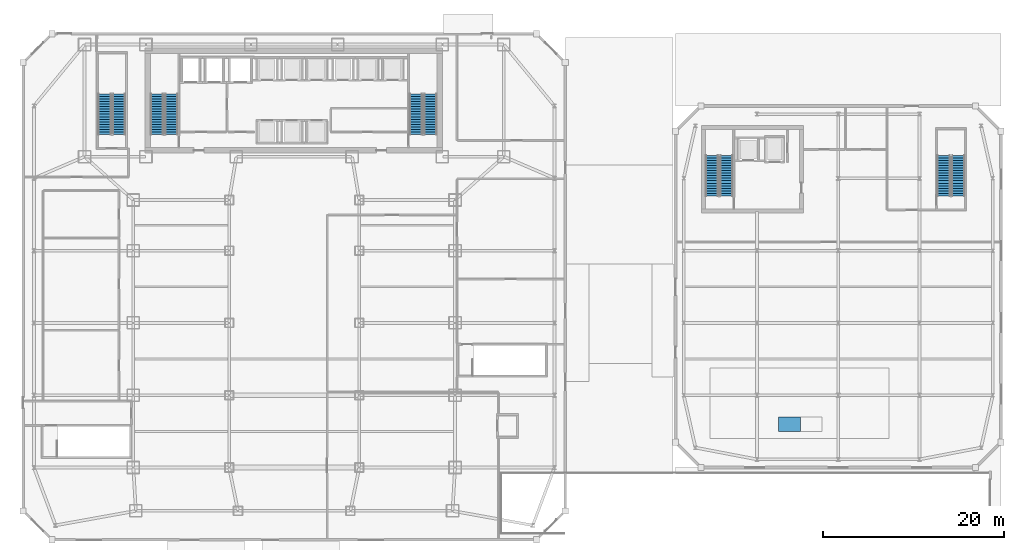
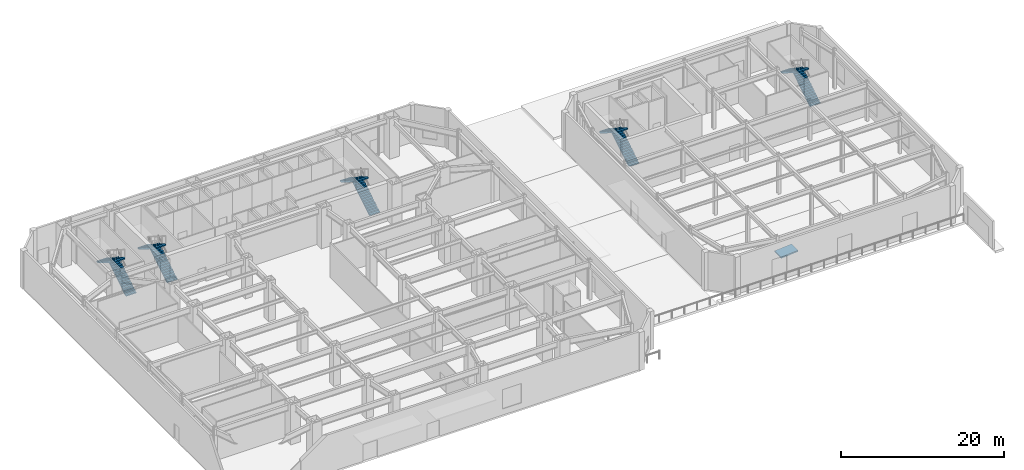
# One storey, part 16 of 23: 10 stair flights, 1 ramp flight, 6 elements without a shape of their own.
"""IFC4 building model written with IfcOpenShell, lengths in metres."""

import ifcopenshell
import ifcopenshell.guid

model = None  # the IFC model being written
_history = None  # IfcOwnerHistory: only IFC2X3 demands one
_inside = {}  # id of a spatial element -> (the spatial element, [elements in it])
_under = {}  # id of a project, library or spatial element -> (it, [spatial elements below it])
_declared = {}  # id of a project -> (the project, [libraries it declares])
_typed = {}  # id of a type object -> (the type object, [elements of that type])
_made_of = {}  # id of a material, layer set ... -> (it, [elements and type objects made of it])


def new_model(schema):
    """Start an empty IFC model of exactly this schema.

    Asked for "IFC4X3", IfcOpenShell would pick the latest addendum, in which some entities
    have other attributes; the version numbers below select the first issue.
    IFC2X3 requires an IfcOwnerHistory on every rooted entity: one is made here for all.
    """
    global model, _history
    if schema == "IFC4X3":
        model = ifcopenshell.file(schema_version=(4, 3, 0, 0))
    else:
        model = ifcopenshell.file(schema=schema)
    _inside.clear()
    _under.clear()
    _declared.clear()
    _typed.clear()
    _made_of.clear()
    _history = None
    if model.schema == "IFC2X3":
        org = make("IfcOrganization", Name="unknown")
        user = make(
            "IfcPersonAndOrganization",
            ThePerson=make("IfcPerson", FamilyName="unknown"),
            TheOrganization=org,
        )
        app = make(
            "IfcApplication",
            ApplicationDeveloper=org,
            Version="unknown",
            ApplicationFullName="unknown",
            ApplicationIdentifier="unknown",
        )
        _history = make(
            "IfcOwnerHistory",
            OwningUser=user,
            OwningApplication=app,
            ChangeAction="ADDED",
            CreationDate=0,
        )
    return model


def make(cls, **values):
    """One entity of the class cls with the attributes given. An attribute that is None is left unset."""
    return model.create_entity(
        cls, **{name: value for name, value in values.items() if value is not None}
    )


def rooted(cls, **values):
    """An entity with a GlobalId (a new one), such as an element, a storey or a relation."""
    return make(cls, GlobalId=ifcopenshell.guid.new(), OwnerHistory=_history, **values)


def si_unit(unit_type, name, prefix=None):
    """IfcSIUnit, for example si_unit("LENGTHUNIT", "METRE", prefix="MILLI")."""
    return make("IfcSIUnit", UnitType=unit_type, Prefix=prefix, Name=name)


def assignment(units):
    """IfcUnitAssignment: the units of a project."""
    return None if units is None else make("IfcUnitAssignment", Units=units)


def point(xyz):
    """IfcCartesianPoint."""
    return None if xyz is None else make("IfcCartesianPoint", Coordinates=xyz)


def direction(xyz):
    """IfcDirection."""
    return None if xyz is None else make("IfcDirection", DirectionRatios=xyz)


def frame(location, z_axis=None, x_axis=None):
    """IfcAxis2Placement3D, a coordinate frame: its origin and axes. An axis left out is left unset."""
    return make(
        "IfcAxis2Placement3D",
        Location=point(location),
        Axis=direction(z_axis),
        RefDirection=direction(x_axis),
    )


def origin():
    """The frame at (0, 0, 0) with its axes left unset."""
    return frame((0.0, 0.0, 0.0))


def place(relative_to, where):
    """IfcLocalPlacement: puts the frame where relative to a parent placement (None: the world)."""
    return make(
        "IfcLocalPlacement", PlacementRelTo=relative_to, RelativePlacement=where
    )


def context(
    kind, dimensions, precision=None, world=None, true_north=None, identifier=None
):
    """IfcGeometricRepresentationContext, for example the 3D "Model" context."""
    return make(
        "IfcGeometricRepresentationContext",
        ContextIdentifier=identifier,
        ContextType=kind,
        CoordinateSpaceDimension=dimensions,
        Precision=precision,
        WorldCoordinateSystem=world,
        TrueNorth=true_north,
    )


def subcontext(parent, identifier, kind, view, scale=None):
    """IfcGeometricRepresentationSubContext, for example "Body" below "Model"."""
    return make(
        "IfcGeometricRepresentationSubContext",
        ContextIdentifier=identifier,
        ContextType=kind,
        ParentContext=parent,
        TargetScale=scale,
        TargetView=view,
    )


def project(units=None, contexts=None):
    """IfcProject with its units and contexts."""
    return rooted(
        "IfcProject",
        Name="project",
        RepresentationContexts=contexts,
        UnitsInContext=assignment(units),
    )


def spatial(cls, under=None, at=None, **own):
    """A site, building, storey or space (cls), placed at a placement, below another one or the project."""
    s = rooted(cls, ObjectPlacement=at, **own)
    if under is not None:
        _under.setdefault(under.id(), (under, []))[1].append(s)
    return s


def polyline(points):
    """IfcPolyline through the points."""
    return make("IfcPolyline", Points=[point(p) for p in points])


def outline(outer, holes=None, kind="AREA"):
    """IfcArbitraryClosedProfileDef: a profile drawn as a closed curve; with holes, ...WithVoids."""
    if holes is None:
        return make("IfcArbitraryClosedProfileDef", ProfileType=kind, OuterCurve=outer)
    return make(
        "IfcArbitraryProfileDefWithVoids",
        ProfileType=kind,
        OuterCurve=outer,
        InnerCurves=holes,
    )


def extrude(swept, where, along, depth):
    """IfcExtrudedAreaSolid: the profile swept, set in the frame where, extruded along a direction by depth."""
    return make(
        "IfcExtrudedAreaSolid",
        SweptArea=swept,
        Position=where,
        ExtrudedDirection=direction(along),
        Depth=depth,
    )


def shape(context_of_items, identifier, shape_type, items):
    """IfcShapeRepresentation: the items that make up one representation, for example the "Body"."""
    return make(
        "IfcShapeRepresentation",
        ContextOfItems=context_of_items,
        RepresentationIdentifier=identifier,
        RepresentationType=shape_type,
        Items=items,
    )


def material(Name=None, Category=None):
    """IfcMaterial."""
    return make("IfcMaterial", Name=Name, Category=Category)


def layer(
    of_material, thickness, ventilated=None, Name=None, Category=None, Priority=None
):
    """IfcMaterialLayer: one layer of a wall or slab, of a material (None: an air gap)."""
    return make(
        "IfcMaterialLayer",
        Material=of_material,
        LayerThickness=thickness,
        IsVentilated=ventilated,
        Name=Name,
        Category=Category,
        Priority=Priority,
    )


def layer_set(layers, Name=None):
    """IfcMaterialLayerSet."""
    return make("IfcMaterialLayerSet", MaterialLayers=layers, LayerSetName=Name)


def made_of(thing, what):
    """Note that an element or type object is made of a material, layer set ...; save() writes the relation."""
    if what is not None:
        _made_of.setdefault(what.id(), (what, []))[1].append(thing)
    return thing


def type_object(cls, material=None, **own):
    """A type object (cls), such as IfcWallType, which elements share."""
    return made_of(rooted(cls, **own), material)


def element(
    cls,
    number,
    at=None,
    inside=None,
    cuts=None,
    type_object=None,
    material=None,
    context=None,
    identifier="Body",
    shape_type=None,
    held_by="IfcProductDefinitionShape",
    body=None,
    shapes=None,
    **own,
):
    """One element of the class cls, such as IfcWall. Its Tag is "e" and its number.

    at: its placement. inside: the storey or other place that contains it. cuts: it is an
    opening in that element (IfcRelVoidsElement). A single representation is given by context,
    identifier, shape_type and body (its items); several are given by shapes. held_by: the class
    of the entity that holds the representations. save() writes the other relations.
    """
    e = rooted(cls, Tag="e%d" % number, ObjectPlacement=at, **own)
    if body is not None:
        shapes = [shape(context, identifier, shape_type, body)]
    if shapes is not None:
        e.Representation = make(held_by, Representations=shapes)
    if inside is not None:
        _inside.setdefault(inside.id(), (inside, []))[1].append(e)
    if cuts is not None:
        rooted(
            "IfcRelVoidsElement", RelatingBuildingElement=cuts, RelatedOpeningElement=e
        )
    if type_object is not None:
        _typed.setdefault(type_object.id(), (type_object, []))[1].append(e)
    return made_of(e, material)


def aggregate(whole, parts):
    """IfcRelAggregates: a whole, such as a stair, and the parts it consists of."""
    return rooted("IfcRelAggregates", RelatingObject=whole, RelatedObjects=parts)


def save(model, path):
    """Write the relations noted so far, then the file.

    IfcRelAggregates (storeys below a building ...), IfcRelContainedInSpatialStructure (elements
    in a storey), IfcRelDefinesByType, IfcRelAssociatesMaterial and IfcRelDeclares: one each for
    every whole, place, type object, material and project.
    """
    for whole, parts in _under.values():
        aggregate(whole, parts)
    for where, things in _inside.values():
        rooted(
            "IfcRelContainedInSpatialStructure",
            RelatedElements=things,
            RelatingStructure=where,
        )
    for kind, things in _typed.values():
        rooted("IfcRelDefinesByType", RelatedObjects=things, RelatingType=kind)
    for what, things in _made_of.values():
        rooted("IfcRelAssociatesMaterial", RelatedObjects=things, RelatingMaterial=what)
    for by, libraries in _declared.values():
        rooted("IfcRelDeclares", RelatingContext=by, RelatedDefinitions=libraries)
    model.write(path)


model = new_model("IFC4")

# Units and contexts
model_context = context("Model", 3, precision=1e-05, world=origin(), true_north=direction((0.0, 1.0)))
body_context = subcontext(model_context, "Body", "Model", "MODEL_VIEW")
ifc_project = project(units=[si_unit("LENGTHUNIT", "METRE"), si_unit("AREAUNIT", "SQUARE_METRE"), si_unit("VOLUMEUNIT", "CUBIC_METRE"), si_unit("PLANEANGLEUNIT", "RADIAN"), si_unit("MASSUNIT", "GRAM", prefix="KILO")], contexts=[model_context])

# Site, building, storey
site_placement = place(None, origin())
site = spatial("IfcSite", under=ifc_project, at=site_placement, CompositionType="ELEMENT")
building_placement = place(site_placement, origin())
building = spatial("IfcBuilding", under=site, at=building_placement, Name="Saevonmaru Cultural Tower", CompositionType="ELEMENT")
storey_placement = place(building_placement, origin())
storey = spatial("IfcBuildingStorey", under=building, at=storey_placement, Name="L00", CompositionType="ELEMENT", Elevation=0.0)

# Stair, stair flights
ifc_material_1 = material(Name="Concrete C40/50", Category="concrete")
stair_type = type_object("IfcStairType", Name="STR-DOGLEG-RC", PredefinedType="HALF_TURN_STAIR", material=ifc_material_1)
stair_1_placement = place(storey_placement, origin())
stair_1 = element("IfcStair", 1, at=stair_1_placement, inside=storey, type_object=stair_type, Name="L00 Protected exit stair LST-1", PredefinedType="HALF_TURN_STAIR")
ifc_material_2 = material(Name="Precast concrete C40/50", Category="concrete")
stair_flight_type = type_object("IfcStairFlightType", Name="STF-PRECAST-180", PredefinedType="STRAIGHT", material=ifc_material_2)
stair_flight_1_placement = place(storey_placement, frame((77.824951171875, 38.050048828125, 0.0), z_axis=(0.0, 0.0, 1.0), x_axis=(0.0, 1.0, 0.0)))
stair_flight_1 = element("IfcStairFlight", 2, at=stair_flight_1_placement, type_object=stair_flight_type, Name="LST-1-L00 flight 1", NumberOfRisers=17, NumberOfTreads=16, PredefinedType="STRAIGHT", RiserHeight=0.176470588, TreadLength=0.28, context=body_context, shape_type="SweptSolid", body=[
    extrude(outline(polyline([(0.0, 0.0), (0.0, 0.176513671875), (0.280029296875, 0.176513671875), (0.280029296875, 0.35302734375), (0.56005859375, 0.35302734375), (0.56005859375, 0.529296875), (0.840087890625, 0.529296875), (0.840087890625, 0.705810546875), (1.1201171875, 0.705810546875), (1.1201171875, 0.88232421875), (1.39990234375, 0.88232421875), (1.39990234375, 1.058837890625), (1.679931640625, 1.058837890625), (1.679931640625, 1.2353515625), (1.9599609375, 1.2353515625), (1.9599609375, 1.411865234375), (2.239990234375, 1.411865234375), (2.239990234375, 1.588134765625), (2.52001953125, 1.588134765625), (2.52001953125, 1.7646484375), (2.800048828125, 1.7646484375), (2.800048828125, 1.941162109375), (3.080078125, 1.941162109375), (3.080078125, 2.11767578125), (3.360107421875, 2.11767578125), (3.360107421875, 2.294189453125), (3.639892578125, 2.294189453125), (3.639892578125, 2.470703125), (3.919921875, 2.470703125), (3.919921875, 2.64697265625), (4.199951171875, 2.64697265625), (4.199951171875, 2.823486328125), (4.47998046875, 2.823486328125), (4.47998046875, 3.0), (4.47998046875, 2.646240234375), (0.28125, 0.0), (0.0, 0.0)])), frame((0.0, 0.72509765625, 0.0), z_axis=(0.0, -1.0, 0.0), x_axis=(1.0, 0.0, 0.0)), (0.0, 0.0, 1.0), 1.449951171875),
])
stair_flight_2_placement = place(storey_placement, frame((76.22509765625, 42.530029296875, 3.0), z_axis=(0.0, 0.0, 1.0), x_axis=(0.0, -1.0, 0.0)))
stair_flight_2 = element("IfcStairFlight", 3, at=stair_flight_2_placement, type_object=stair_flight_type, Name="LST-1-L00 flight 2", NumberOfRisers=17, NumberOfTreads=16, PredefinedType="STRAIGHT", RiserHeight=0.176470588, TreadLength=0.28, context=body_context, shape_type="SweptSolid", body=[
    extrude(outline(polyline([(0.0, 0.0), (0.0, 0.176513671875), (0.280029296875, 0.176513671875), (0.280029296875, 0.35302734375), (0.56005859375, 0.35302734375), (0.56005859375, 0.529296875), (0.840087890625, 0.529296875), (0.840087890625, 0.705810546875), (1.1201171875, 0.705810546875), (1.1201171875, 0.88232421875), (1.39990234375, 0.88232421875), (1.39990234375, 1.058837890625), (1.679931640625, 1.058837890625), (1.679931640625, 1.2353515625), (1.9599609375, 1.2353515625), (1.9599609375, 1.411865234375), (2.239990234375, 1.411865234375), (2.239990234375, 1.588134765625), (2.52001953125, 1.588134765625), (2.52001953125, 1.7646484375), (2.800048828125, 1.7646484375), (2.800048828125, 1.941162109375), (3.080078125, 1.941162109375), (3.080078125, 2.11767578125), (3.360107421875, 2.11767578125), (3.360107421875, 2.294189453125), (3.639892578125, 2.294189453125), (3.639892578125, 2.470703125), (3.919921875, 2.470703125), (3.919921875, 2.64697265625), (4.199951171875, 2.64697265625), (4.199951171875, 2.823486328125), (4.47998046875, 2.823486328125), (4.47998046875, 3.0), (4.47998046875, 2.646240234375), (0.28125, 0.0), (0.0, 0.0)])), frame((0.0, 0.72509765625, 0.0), z_axis=(0.0, -1.0, 0.0), x_axis=(1.0, 0.0, 0.0)), (0.0, 0.0, 1.0), 1.449951171875),
])
aggregate(stair_1, [stair_flight_1, stair_flight_2])

stair_2_placement = place(storey_placement, origin())
stair_2 = element("IfcStair", 4, at=stair_2_placement, inside=storey, type_object=stair_type, Name="L00 Protected exit stair LST-2", PredefinedType="HALF_TURN_STAIR")
stair_flight_3_placement = place(storey_placement, frame((103.47509765625, 38.050048828125, 0.0), z_axis=(0.0, 0.0, 1.0), x_axis=(0.0, 1.0, 0.0)))
stair_flight_3 = element("IfcStairFlight", 5, at=stair_flight_3_placement, type_object=stair_flight_type, Name="LST-2-L00 flight 1", NumberOfRisers=17, NumberOfTreads=16, PredefinedType="STRAIGHT", RiserHeight=0.176470588, TreadLength=0.28, context=body_context, shape_type="SweptSolid", body=[
    extrude(outline(polyline([(0.0, 0.0), (0.0, 0.176513671875), (0.280029296875, 0.176513671875), (0.280029296875, 0.35302734375), (0.56005859375, 0.35302734375), (0.56005859375, 0.529296875), (0.840087890625, 0.529296875), (0.840087890625, 0.705810546875), (1.1201171875, 0.705810546875), (1.1201171875, 0.88232421875), (1.39990234375, 0.88232421875), (1.39990234375, 1.058837890625), (1.679931640625, 1.058837890625), (1.679931640625, 1.2353515625), (1.9599609375, 1.2353515625), (1.9599609375, 1.411865234375), (2.239990234375, 1.411865234375), (2.239990234375, 1.588134765625), (2.52001953125, 1.588134765625), (2.52001953125, 1.7646484375), (2.800048828125, 1.7646484375), (2.800048828125, 1.941162109375), (3.080078125, 1.941162109375), (3.080078125, 2.11767578125), (3.360107421875, 2.11767578125), (3.360107421875, 2.294189453125), (3.639892578125, 2.294189453125), (3.639892578125, 2.470703125), (3.919921875, 2.470703125), (3.919921875, 2.64697265625), (4.199951171875, 2.64697265625), (4.199951171875, 2.823486328125), (4.47998046875, 2.823486328125), (4.47998046875, 3.0), (4.47998046875, 2.646240234375), (0.28125, 0.0), (0.0, 0.0)])), frame((0.0, 0.72509765625, 0.0), z_axis=(0.0, -1.0, 0.0), x_axis=(1.0, 0.0, 0.0)), (0.0, 0.0, 1.0), 1.449951171875),
])
stair_flight_4_placement = place(storey_placement, frame((101.875, 42.530029296875, 3.0), z_axis=(0.0, 0.0, 1.0), x_axis=(0.0, -1.0, 0.0)))
stair_flight_4 = element("IfcStairFlight", 6, at=stair_flight_4_placement, type_object=stair_flight_type, Name="LST-2-L00 flight 2", NumberOfRisers=17, NumberOfTreads=16, PredefinedType="STRAIGHT", RiserHeight=0.176470588, TreadLength=0.28, context=body_context, shape_type="SweptSolid", body=[
    extrude(outline(polyline([(0.0, 0.0), (0.0, 0.176513671875), (0.280029296875, 0.176513671875), (0.280029296875, 0.35302734375), (0.56005859375, 0.35302734375), (0.56005859375, 0.529296875), (0.840087890625, 0.529296875), (0.840087890625, 0.705810546875), (1.1201171875, 0.705810546875), (1.1201171875, 0.88232421875), (1.39990234375, 0.88232421875), (1.39990234375, 1.058837890625), (1.679931640625, 1.058837890625), (1.679931640625, 1.2353515625), (1.9599609375, 1.2353515625), (1.9599609375, 1.411865234375), (2.239990234375, 1.411865234375), (2.239990234375, 1.588134765625), (2.52001953125, 1.588134765625), (2.52001953125, 1.7646484375), (2.800048828125, 1.7646484375), (2.800048828125, 1.941162109375), (3.080078125, 1.941162109375), (3.080078125, 2.11767578125), (3.360107421875, 2.11767578125), (3.360107421875, 2.294189453125), (3.639892578125, 2.294189453125), (3.639892578125, 2.470703125), (3.919921875, 2.470703125), (3.919921875, 2.64697265625), (4.199951171875, 2.64697265625), (4.199951171875, 2.823486328125), (4.47998046875, 2.823486328125), (4.47998046875, 3.0), (4.47998046875, 2.646240234375), (0.28125, 0.0), (0.0, 0.0)])), frame((0.0, 0.72509765625, 0.0), z_axis=(0.0, -1.0, 0.0), x_axis=(1.0, 0.0, 0.0)), (0.0, 0.0, 1.0), 1.449951171875),
])
aggregate(stair_2, [stair_flight_3, stair_flight_4])

stair_3_placement = place(storey_placement, origin())
stair_3 = element("IfcStair", 7, at=stair_3_placement, inside=storey, type_object=stair_type, Name="L00 Protected exit stair ST-1", PredefinedType="HALF_TURN_STAIR")
stair_flight_5_placement = place(storey_placement, frame((16.425048828125, 44.85009765625, 0.0), z_axis=(0.0, 0.0, 1.0), x_axis=(0.0, 1.0, 0.0)))
stair_flight_5 = element("IfcStairFlight", 8, at=stair_flight_5_placement, type_object=stair_flight_type, Name="ST-1-L00 flight 1", NumberOfRisers=17, NumberOfTreads=16, PredefinedType="STRAIGHT", RiserHeight=0.176470588, TreadLength=0.28, context=body_context, shape_type="SweptSolid", body=[
    extrude(outline(polyline([(0.0, 0.0), (0.0, 0.176513671875), (0.280029296875, 0.176513671875), (0.280029296875, 0.35302734375), (0.56005859375, 0.35302734375), (0.56005859375, 0.529296875), (0.840087890625, 0.529296875), (0.840087890625, 0.705810546875), (1.1201171875, 0.705810546875), (1.1201171875, 0.88232421875), (1.39990234375, 0.88232421875), (1.39990234375, 1.058837890625), (1.679931640625, 1.058837890625), (1.679931640625, 1.2353515625), (1.9599609375, 1.2353515625), (1.9599609375, 1.411865234375), (2.239990234375, 1.411865234375), (2.239990234375, 1.588134765625), (2.52001953125, 1.588134765625), (2.52001953125, 1.7646484375), (2.800048828125, 1.7646484375), (2.800048828125, 1.941162109375), (3.080078125, 1.941162109375), (3.080078125, 2.11767578125), (3.360107421875, 2.11767578125), (3.360107421875, 2.294189453125), (3.639892578125, 2.294189453125), (3.639892578125, 2.470703125), (3.919921875, 2.470703125), (3.919921875, 2.64697265625), (4.199951171875, 2.64697265625), (4.199951171875, 2.823486328125), (4.47998046875, 2.823486328125), (4.47998046875, 3.0), (4.47998046875, 2.646240234375), (0.28125, 0.0), (0.0, 0.0)])), frame((0.0, 0.72509765625, 0.0), z_axis=(0.0, -1.0, 0.0), x_axis=(1.0, 0.0, 0.0)), (0.0, 0.0, 1.0), 1.449951171875),
])
stair_flight_6_placement = place(storey_placement, frame((14.824951171875, 49.330078125, 3.0), z_axis=(0.0, 0.0, 1.0), x_axis=(0.0, -1.0, 0.0)))
stair_flight_6 = element("IfcStairFlight", 9, at=stair_flight_6_placement, type_object=stair_flight_type, Name="ST-1-L00 flight 2", NumberOfRisers=17, NumberOfTreads=16, PredefinedType="STRAIGHT", RiserHeight=0.176470588, TreadLength=0.28, context=body_context, shape_type="SweptSolid", body=[
    extrude(outline(polyline([(0.0, 0.0), (0.0, 0.176513671875), (0.280029296875, 0.176513671875), (0.280029296875, 0.35302734375), (0.56005859375, 0.35302734375), (0.56005859375, 0.529296875), (0.840087890625, 0.529296875), (0.840087890625, 0.705810546875), (1.1201171875, 0.705810546875), (1.1201171875, 0.88232421875), (1.39990234375, 0.88232421875), (1.39990234375, 1.058837890625), (1.679931640625, 1.058837890625), (1.679931640625, 1.2353515625), (1.9599609375, 1.2353515625), (1.9599609375, 1.411865234375), (2.239990234375, 1.411865234375), (2.239990234375, 1.588134765625), (2.52001953125, 1.588134765625), (2.52001953125, 1.7646484375), (2.800048828125, 1.7646484375), (2.800048828125, 1.941162109375), (3.080078125, 1.941162109375), (3.080078125, 2.11767578125), (3.360107421875, 2.11767578125), (3.360107421875, 2.294189453125), (3.639892578125, 2.294189453125), (3.639892578125, 2.470703125), (3.919921875, 2.470703125), (3.919921875, 2.64697265625), (4.199951171875, 2.64697265625), (4.199951171875, 2.823486328125), (4.47998046875, 2.823486328125), (4.47998046875, 3.0), (4.47998046875, 2.646240234375), (0.28125, 0.0), (0.0, 0.0)])), frame((0.0, 0.72509765625, 0.0), z_axis=(0.0, -1.0, 0.0), x_axis=(1.0, 0.0, 0.0)), (0.0, 0.0, 1.0), 1.449951171875),
])
aggregate(stair_3, [stair_flight_5, stair_flight_6])

stair_4_placement = place(storey_placement, origin())
stair_4 = element("IfcStair", 10, at=stair_4_placement, inside=storey, type_object=stair_type, Name="L00 Protected exit stair ST-2", PredefinedType="HALF_TURN_STAIR")
stair_flight_7_placement = place(storey_placement, frame((45.074951171875, 44.85009765625, 0.0), z_axis=(0.0, 0.0, 1.0), x_axis=(0.0, 1.0, 0.0)))
stair_flight_7 = element("IfcStairFlight", 11, at=stair_flight_7_placement, type_object=stair_flight_type, Name="ST-2-L00 flight 1", NumberOfRisers=17, NumberOfTreads=16, PredefinedType="STRAIGHT", RiserHeight=0.176470588, TreadLength=0.28, context=body_context, shape_type="SweptSolid", body=[
    extrude(outline(polyline([(0.0, 0.0), (0.0, 0.176513671875), (0.280029296875, 0.176513671875), (0.280029296875, 0.35302734375), (0.56005859375, 0.35302734375), (0.56005859375, 0.529296875), (0.840087890625, 0.529296875), (0.840087890625, 0.705810546875), (1.1201171875, 0.705810546875), (1.1201171875, 0.88232421875), (1.39990234375, 0.88232421875), (1.39990234375, 1.058837890625), (1.679931640625, 1.058837890625), (1.679931640625, 1.2353515625), (1.9599609375, 1.2353515625), (1.9599609375, 1.411865234375), (2.239990234375, 1.411865234375), (2.239990234375, 1.588134765625), (2.52001953125, 1.588134765625), (2.52001953125, 1.7646484375), (2.800048828125, 1.7646484375), (2.800048828125, 1.941162109375), (3.080078125, 1.941162109375), (3.080078125, 2.11767578125), (3.360107421875, 2.11767578125), (3.360107421875, 2.294189453125), (3.639892578125, 2.294189453125), (3.639892578125, 2.470703125), (3.919921875, 2.470703125), (3.919921875, 2.64697265625), (4.199951171875, 2.64697265625), (4.199951171875, 2.823486328125), (4.47998046875, 2.823486328125), (4.47998046875, 3.0), (4.47998046875, 2.646240234375), (0.28125, 0.0), (0.0, 0.0)])), frame((0.0, 0.72509765625, 0.0), z_axis=(0.0, -1.0, 0.0), x_axis=(1.0, 0.0, 0.0)), (0.0, 0.0, 1.0), 1.449951171875),
])
stair_flight_8_placement = place(storey_placement, frame((43.47509765625, 49.330078125, 3.0), z_axis=(0.0, 0.0, 1.0), x_axis=(0.0, -1.0, 0.0)))
stair_flight_8 = element("IfcStairFlight", 12, at=stair_flight_8_placement, type_object=stair_flight_type, Name="ST-2-L00 flight 2", NumberOfRisers=17, NumberOfTreads=16, PredefinedType="STRAIGHT", RiserHeight=0.176470588, TreadLength=0.28, context=body_context, shape_type="SweptSolid", body=[
    extrude(outline(polyline([(0.0, 0.0), (0.0, 0.176513671875), (0.280029296875, 0.176513671875), (0.280029296875, 0.35302734375), (0.56005859375, 0.35302734375), (0.56005859375, 0.529296875), (0.840087890625, 0.529296875), (0.840087890625, 0.705810546875), (1.1201171875, 0.705810546875), (1.1201171875, 0.88232421875), (1.39990234375, 0.88232421875), (1.39990234375, 1.058837890625), (1.679931640625, 1.058837890625), (1.679931640625, 1.2353515625), (1.9599609375, 1.2353515625), (1.9599609375, 1.411865234375), (2.239990234375, 1.411865234375), (2.239990234375, 1.588134765625), (2.52001953125, 1.588134765625), (2.52001953125, 1.7646484375), (2.800048828125, 1.7646484375), (2.800048828125, 1.941162109375), (3.080078125, 1.941162109375), (3.080078125, 2.11767578125), (3.360107421875, 2.11767578125), (3.360107421875, 2.294189453125), (3.639892578125, 2.294189453125), (3.639892578125, 2.470703125), (3.919921875, 2.470703125), (3.919921875, 2.64697265625), (4.199951171875, 2.64697265625), (4.199951171875, 2.823486328125), (4.47998046875, 2.823486328125), (4.47998046875, 3.0), (4.47998046875, 2.646240234375), (0.28125, 0.0), (0.0, 0.0)])), frame((0.0, 0.72509765625, 0.0), z_axis=(0.0, -1.0, 0.0), x_axis=(1.0, 0.0, 0.0)), (0.0, 0.0, 1.0), 1.449951171875),
])
aggregate(stair_4, [stair_flight_7, stair_flight_8])

stair_5_placement = place(storey_placement, origin())
stair_5 = element("IfcStair", 13, at=stair_5_placement, inside=storey, type_object=stair_type, Name="L00 Protected exit stair ST-3", PredefinedType="HALF_TURN_STAIR")
stair_flight_9_placement = place(storey_placement, frame((10.625, 44.85009765625, 0.0), z_axis=(0.0, 0.0, 1.0), x_axis=(0.0, 1.0, 0.0)))
stair_flight_9 = element("IfcStairFlight", 14, at=stair_flight_9_placement, type_object=stair_flight_type, Name="ST-3-L00 flight 1", NumberOfRisers=17, NumberOfTreads=16, PredefinedType="STRAIGHT", RiserHeight=0.176470588, TreadLength=0.28, context=body_context, shape_type="SweptSolid", body=[
    extrude(outline(polyline([(0.0, 0.0), (0.0, 0.176513671875), (0.280029296875, 0.176513671875), (0.280029296875, 0.35302734375), (0.56005859375, 0.35302734375), (0.56005859375, 0.529296875), (0.840087890625, 0.529296875), (0.840087890625, 0.705810546875), (1.1201171875, 0.705810546875), (1.1201171875, 0.88232421875), (1.39990234375, 0.88232421875), (1.39990234375, 1.058837890625), (1.679931640625, 1.058837890625), (1.679931640625, 1.2353515625), (1.9599609375, 1.2353515625), (1.9599609375, 1.411865234375), (2.239990234375, 1.411865234375), (2.239990234375, 1.588134765625), (2.52001953125, 1.588134765625), (2.52001953125, 1.7646484375), (2.800048828125, 1.7646484375), (2.800048828125, 1.941162109375), (3.080078125, 1.941162109375), (3.080078125, 2.11767578125), (3.360107421875, 2.11767578125), (3.360107421875, 2.294189453125), (3.639892578125, 2.294189453125), (3.639892578125, 2.470703125), (3.919921875, 2.470703125), (3.919921875, 2.64697265625), (4.199951171875, 2.64697265625), (4.199951171875, 2.823486328125), (4.47998046875, 2.823486328125), (4.47998046875, 3.0), (4.47998046875, 2.646240234375), (0.28125, 0.0), (0.0, 0.0)])), frame((0.0, 0.72509765625, 0.0), z_axis=(0.0, -1.0, 0.0), x_axis=(1.0, 0.0, 0.0)), (0.0, 0.0, 1.0), 1.449951171875),
])
stair_flight_10_placement = place(storey_placement, frame((9.02490234375, 49.330078125, 3.0), z_axis=(0.0, 0.0, 1.0), x_axis=(0.0, -1.0, 0.0)))
stair_flight_10 = element("IfcStairFlight", 15, at=stair_flight_10_placement, type_object=stair_flight_type, Name="ST-3-L00 flight 2", NumberOfRisers=17, NumberOfTreads=16, PredefinedType="STRAIGHT", RiserHeight=0.176470588, TreadLength=0.28, context=body_context, shape_type="SweptSolid", body=[
    extrude(outline(polyline([(0.0, 0.0), (0.0, 0.176513671875), (0.280029296875, 0.176513671875), (0.280029296875, 0.35302734375), (0.56005859375, 0.35302734375), (0.56005859375, 0.529296875), (0.840087890625, 0.529296875), (0.840087890625, 0.705810546875), (1.1201171875, 0.705810546875), (1.1201171875, 0.88232421875), (1.39990234375, 0.88232421875), (1.39990234375, 1.058837890625), (1.679931640625, 1.058837890625), (1.679931640625, 1.2353515625), (1.9599609375, 1.2353515625), (1.9599609375, 1.411865234375), (2.239990234375, 1.411865234375), (2.239990234375, 1.588134765625), (2.52001953125, 1.588134765625), (2.52001953125, 1.7646484375), (2.800048828125, 1.7646484375), (2.800048828125, 1.941162109375), (3.080078125, 1.941162109375), (3.080078125, 2.11767578125), (3.360107421875, 2.11767578125), (3.360107421875, 2.294189453125), (3.639892578125, 2.294189453125), (3.639892578125, 2.470703125), (3.919921875, 2.470703125), (3.919921875, 2.64697265625), (4.199951171875, 2.64697265625), (4.199951171875, 2.823486328125), (4.47998046875, 2.823486328125), (4.47998046875, 3.0), (4.47998046875, 2.646240234375), (0.28125, 0.0), (0.0, 0.0)])), frame((0.0, 0.72509765625, 0.0), z_axis=(0.0, -1.0, 0.0), x_axis=(1.0, 0.0, 0.0)), (0.0, 0.0, 1.0), 1.449951171875),
])
aggregate(stair_5, [stair_flight_9, stair_flight_10])

# Ramp, ramp flight
ramp_type = type_object("IfcRampType", Name="RMP-PED-1600", PredefinedType="STRAIGHT_RUN_RAMP", material=ifc_material_1)
ramp_placement = place(storey_placement, origin())
ramp = element("IfcRamp", 16, at=ramp_placement, inside=storey, type_object=ramp_type, Name="L00 Barrier-Free Library Reading Dais Ramp PR-5", PredefinedType="STRAIGHT_RUN_RAMP")
ifc_layer = layer(ifc_material_1, 0.199951171875, Name="Concrete C40/50")
ifc_layer_set = layer_set([ifc_layer], Name="Concrete C40/50")
ramp_flight_type = type_object("IfcRampFlightType", Name="RFL-PED-200", PredefinedType="STRAIGHT", material=ifc_layer_set)
ramp_flight_placement = place(storey_placement, frame((83.60009765625, 12.0, 0.0), z_axis=(-0.083028700011, 0.0, 0.996547156423), x_axis=(0.996547156423, 0.0, 0.083028700011)))
ramp_flight = element("IfcRampFlight", 17, at=ramp_flight_placement, type_object=ramp_flight_type, Name="L00 Barrier-Free Library Reading Dais Ramp Flight PR-5", PredefinedType="STRAIGHT", context=body_context, shape_type="SweptSolid", body=[
    extrude(outline(polyline([(0.0, 0.0), (2.408217542223071, 0.0), (2.408217542223071, 1.60009765625), (0.0, 1.60009765625), (0.0, 0.0)])), origin(), (0.0, 0.0, -1.0), 0.199951171875),
])
aggregate(ramp, [ramp_flight])

save(model, "model.ifc")
